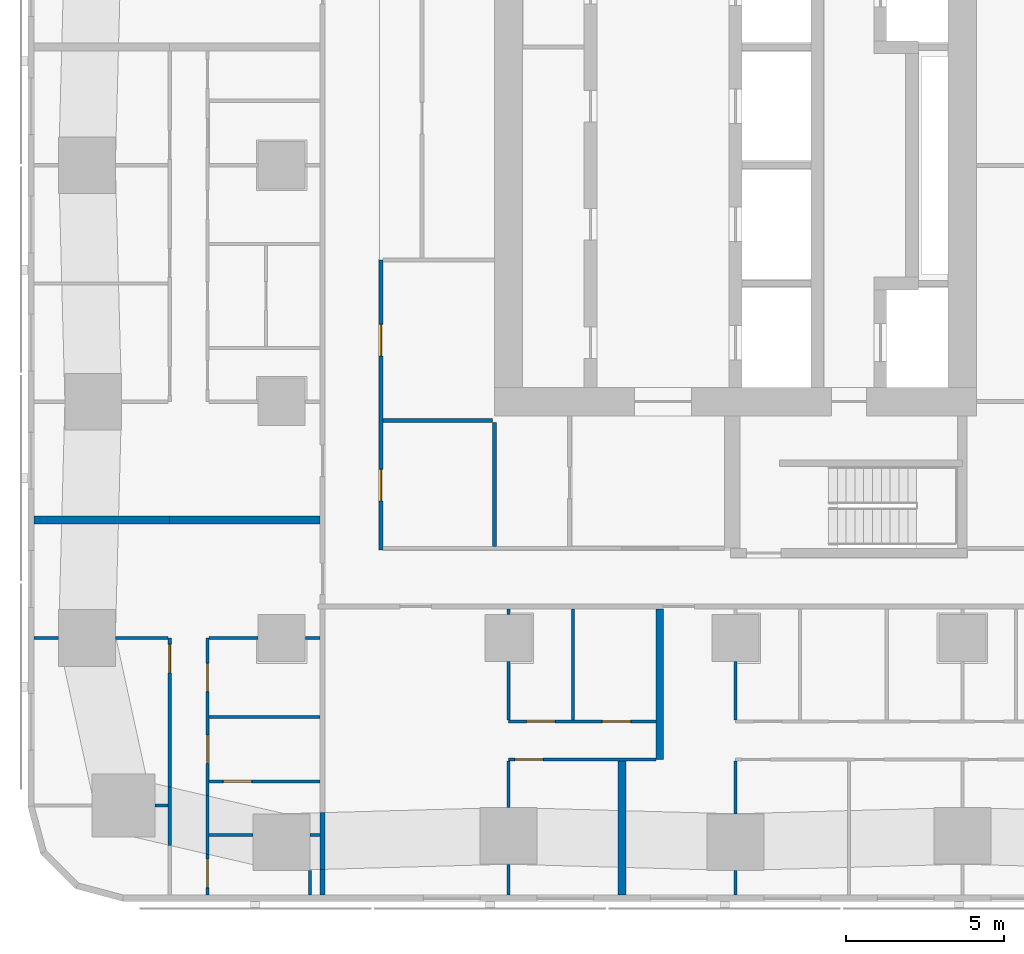
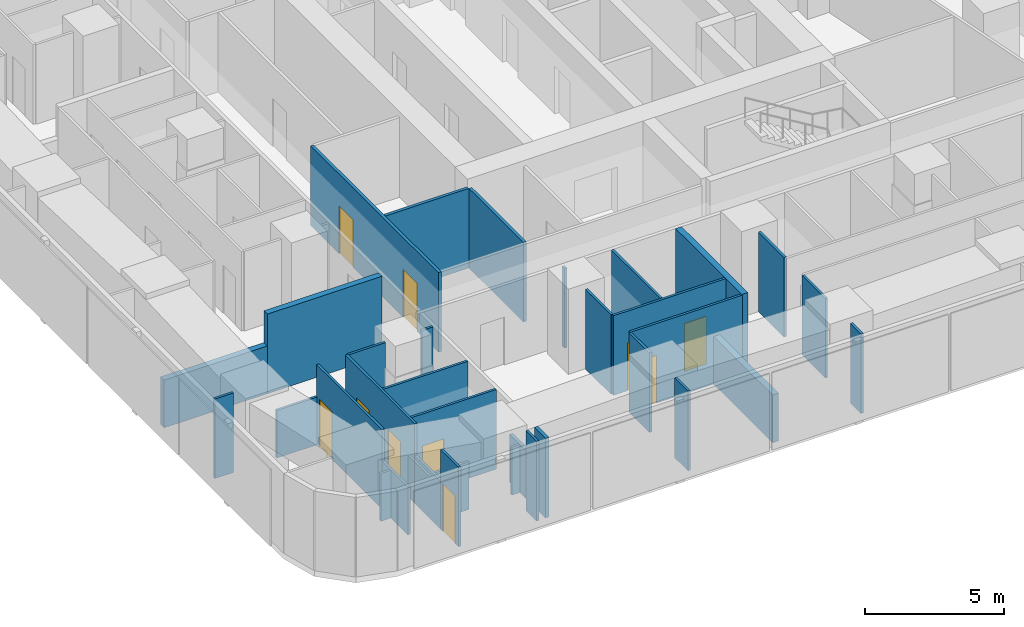
# One storey, part 2 of 15: 34 walls, 10 doors, 10 openings.
"""IFC4 building model written with IfcOpenShell, lengths in metres."""

from ifc_helpers import new_model, si_unit, direction, frame, frame_2d, origin, place, context, subcontext, project, spatial, rectangle, extrude, material, layer, layer_set, type_object, element, fill, save


model = new_model("IFC4")

# Units and contexts
model_context = context("Model", 3, precision=1e-05, world=origin(), true_north=direction((0.0, 1.0)))
body_context = subcontext(model_context, "Body", "Model", "MODEL_VIEW")
ifc_project = project(units=[si_unit("LENGTHUNIT", "METRE"), si_unit("AREAUNIT", "SQUARE_METRE"), si_unit("VOLUMEUNIT", "CUBIC_METRE"), si_unit("PLANEANGLEUNIT", "RADIAN"), si_unit("MASSUNIT", "GRAM", prefix="KILO")], contexts=[model_context])

# Site, building, storey
site_placement = place(None, origin())
site = spatial("IfcSite", under=ifc_project, at=site_placement, CompositionType="ELEMENT")
building_placement = place(site_placement, origin())
building = spatial("IfcBuilding", under=site, at=building_placement, Name="Sheger Commons Tower", CompositionType="ELEMENT")
storey_placement = place(building_placement, frame((0.0, 0.0, 165.800048828125)))
storey = spatial("IfcBuildingStorey", under=building, at=storey_placement, Name="L42", CompositionType="ELEMENT", Elevation=165.800048828125)

# Walls
ifc_material_1 = material(Name="Hollow concrete block masonry, skimmed both sides", Category="masonry")
ifc_layer_1 = layer(ifc_material_1, 0.14990234375)
ifc_layer_set_1 = layer_set([ifc_layer_1], Name="CORRIDOR WALL 150")
wall_type_1 = type_object("IfcWallType", Name="CORRIDOR WALL 150", PredefinedType="SOLIDWALL", material=ifc_layer_set_1)
wall_1_placement = place(storey_placement, frame((8.5, -0.64990234375, 0.0), z_axis=(0.0, 0.0, 1.0), x_axis=(0.0, 1.0, 0.0)))
element("IfcWall", 1, at=wall_1_placement, inside=storey, type_object=wall_type_1, Name="Corridor wall L42", PredefinedType="SOLIDWALL", context=body_context, shape_type="SweptSolid", body=[
    extrude(rectangle(XDim=0.808837890625, YDim=0.14990234375, at=frame_2d((0.404296875, 0.0))), origin(), (0.0, 0.0, 1.0), 3.5),
])
wall_2_placement = place(storey_placement, frame((8.5, 0.158935546875, 0.0), z_axis=(0.0, 0.0, 1.0), x_axis=(0.0, 1.0, 0.0)))
element("IfcWall", 2, at=wall_2_placement, inside=storey, type_object=wall_type_1, Name="Corridor wall L42", PredefinedType="SOLIDWALL", context=body_context, shape_type="SweptSolid", body=[
    extrude(rectangle(XDim=1.80517578125, YDim=0.14990234375, at=frame_2d((0.902587890625, 0.0))), origin(), (0.0, 0.0, 1.0), 2.099853515625),
])
ifc_material_2 = material(Name="Dense concrete block masonry, plastered both sides (separating wall between flats)", Category="masonry")
ifc_layer_2 = layer(ifc_material_2, 0.25)
ifc_layer_set_2 = layer_set([ifc_layer_2], Name="DEMISING WALL 250")
wall_type_2 = type_object("IfcWallType", Name="DEMISING WALL 250", PredefinedType="SOLIDWALL", material=ifc_layer_set_2)
wall_3_placement = place(storey_placement, frame((-0.64990234375, 11.25, 0.0), z_axis=(0.0, 0.0, 1.0), x_axis=(1.0, 0.0, 0.0)))
element("IfcWall", 3, at=wall_3_placement, inside=storey, type_object=wall_type_2, Name="Demising wall L42", PredefinedType="SOLIDWALL", context=body_context, shape_type="SweptSolid", body=[
    extrude(rectangle(XDim=4.2998046875, YDim=0.25, at=frame_2d((2.14990234375, 0.0))), origin(), (0.0, 0.0, 1.0), 2.099853515625),
])
wall_4_placement = place(storey_placement, frame((3.64990234375, 11.25, 0.0), z_axis=(0.0, 0.0, 1.0), x_axis=(1.0, 0.0, 0.0)))
element("IfcWall", 4, at=wall_4_placement, inside=storey, type_object=wall_type_2, Name="Demising wall L42", PredefinedType="SOLIDWALL", context=body_context, shape_type="SweptSolid", body=[
    extrude(rectangle(XDim=4.775146484375, YDim=0.25, at=frame_2d((2.3876953125, 0.0))), origin(), (0.0, 0.0, 1.0), 3.5),
])
wall_5_placement = place(storey_placement, frame((18.0, -0.64990234375, 0.0), z_axis=(0.0, 0.0, 1.0), x_axis=(0.0, 1.0, 0.0)))
element("IfcWall", 5, at=wall_5_placement, inside=storey, type_object=wall_type_2, Name="Demising wall L42", PredefinedType="SOLIDWALL", context=body_context, shape_type="SweptSolid", body=[
    extrude(rectangle(XDim=4.25, YDim=0.25, at=frame_2d((2.125, 0.0))), origin(), (0.0, 0.0, 1.0), 2.099853515625),
])
wall_6_placement = place(storey_placement, frame((19.198974609375, 3.64990234375, 0.0), z_axis=(0.0, 0.0, 1.0), x_axis=(0.0, 1.0, 0.0)))
element("IfcWall", 6, at=wall_6_placement, inside=storey, type_object=wall_type_2, Name="Demising wall L42", PredefinedType="SOLIDWALL", context=body_context, shape_type="SweptSolid", body=[
    extrude(rectangle(XDim=4.775146484375, YDim=0.25, at=frame_2d((2.3876953125, 0.0))), origin(), (0.0, 0.0, 1.0), 3.5),
])
ifc_material_3 = material(Name="Gypsum board on steel studs", Category="steel")
ifc_layer_3 = layer(ifc_material_3, 0.10009765625)
ifc_layer_set_3 = layer_set([ifc_layer_3], Name="PARTITION 100")
wall_type_3 = type_object("IfcWallType", Name="PARTITION 100", PredefinedType="PARTITIONING", material=ifc_layer_set_3)
wall_7_placement = place(storey_placement, frame((8.10009765625, 0.1240234375, 0.0), z_axis=(0.0, 0.0, 1.0), x_axis=(0.0, -1.0, 0.0)))
element("IfcWall", 7, at=wall_7_placement, inside=storey, type_object=wall_type_3, Name="Partition L42", PredefinedType="PARTITIONING", context=body_context, shape_type="SweptSolid", body=[
    extrude(rectangle(XDim=0.77392578125, YDim=0.10009765625, at=frame_2d((0.386962890625, 0.0))), origin(), (0.0, 0.0, 1.0), 3.5),
])
wall_8_placement = place(storey_placement, frame((3.64990234375, 0.912109375, 0.0), z_axis=(0.0, 0.0, 1.0), x_axis=(0.0, 1.0, 0.0)))
element("IfcWall", 8, at=wall_8_placement, inside=storey, type_object=wall_type_3, Name="Partition L42", PredefinedType="PARTITIONING", context=body_context, shape_type="SweptSolid", body=[
    extrude(rectangle(XDim=1.869873046875, YDim=0.10009765625, at=frame_2d((0.93505859375, 0.0))), origin(), (0.0, 0.0, 1.0), 2.099853515625),
])

# Wall, opening, door
wall_9_placement = place(storey_placement, frame((3.64990234375, 2.781982421875, 0.0), z_axis=(0.0, 0.0, 1.0), x_axis=(0.0, 1.0, 0.0)))
wall_9 = element("IfcWall", 9, at=wall_9_placement, inside=storey, type_object=wall_type_3, Name="Partition L42", PredefinedType="PARTITIONING", context=body_context, shape_type="SweptSolid", body=[
    extrude(rectangle(XDim=4.718017578125, YDim=0.10009765625, at=frame_2d((2.35888671875, 0.0))), origin(), (0.0, 0.0, 1.0), 3.5),
])
opening_1_placement = place(wall_9_placement, frame((3.617919921875, 0.0, 0.0)))
opening_1 = element("IfcOpeningElement", 10, at=opening_1_placement, cuts=wall_9, Name="Opening D2", PredefinedType="OPENING", context=body_context, shape_type="SweptSolid", body=[
    extrude(rectangle(XDim=0.89990234375, YDim=2.10009765625, at=frame_2d((0.449951171875, 1.050048828125))), frame((0.0, 0.06005859375, 0.0), z_axis=(0.0, -1.0, 0.0), x_axis=(1.0, 0.0, 0.0)), (0.0, 0.0, 1.0), 0.1201171875),
])
ifc_material_4 = material(Name="Timber door set", Category="wood")
door_type_1 = type_object("IfcDoorType", Name="INTERNAL DOOR 900x2100", OperationType="NOTDEFINED", PredefinedType="DOOR", material=ifc_material_4)
door_1_placement = place(opening_1_placement, origin())
door_1 = element("IfcDoor", 11, at=door_1_placement, inside=storey, type_object=door_type_1, Name="Main bedroom door", OperationType="SINGLE_SWING_RIGHT", OverallHeight=2.10009765625, OverallWidth=0.89990234375, PredefinedType="DOOR", context=body_context, shape_type="SweptSolid", body=[
    extrude(rectangle(XDim=0.89990234375, YDim=2.10009765625, at=frame_2d((0.449951171875, 1.050048828125))), frame((0.0, 0.02490234375, 0.0), z_axis=(0.0, -1.0, 0.0), x_axis=(1.0, 0.0, 0.0)), (0.0, 0.0, 1.0), 0.050048828125),
])
fill(opening_1, door_1)

wall_10_placement = place(storey_placement, frame((4.85009765625, -0.64990234375, 0.0), z_axis=(0.0, 0.0, 1.0), x_axis=(0.0, 1.0, 0.0)))
wall_10 = element("IfcWall", 12, at=wall_10_placement, inside=storey, type_object=wall_type_3, Name="Partition L42", PredefinedType="PARTITIONING", context=body_context, shape_type="SweptSolid", body=[
    extrude(rectangle(XDim=1.283935546875, YDim=0.10009765625, at=frame_2d((0.64208984375, 0.0))), origin(), (0.0, 0.0, 1.0), 3.5),
])
opening_2_placement = place(wall_10_placement, frame((0.23388671875, 0.0, 0.0)))
opening_2 = element("IfcOpeningElement", 13, at=opening_2_placement, cuts=wall_10, Name="Opening D2", PredefinedType="OPENING", context=body_context, shape_type="SweptSolid", body=[
    extrude(rectangle(XDim=0.89990234375, YDim=2.10009765625, at=frame_2d((0.449951171875, 1.050048828125))), frame((0.0, 0.06005859375, 0.0), z_axis=(0.0, -1.0, 0.0), x_axis=(1.0, 0.0, 0.0)), (0.0, 0.0, 1.0), 0.1201171875),
])
door_2_placement = place(opening_2_placement, origin())
door_2 = element("IfcDoor", 14, at=door_2_placement, inside=storey, type_object=door_type_1, Name="Laundry room door", OperationType="SINGLE_SWING_LEFT", OverallHeight=2.10009765625, OverallWidth=0.89990234375, PredefinedType="DOOR", context=body_context, shape_type="SweptSolid", body=[
    extrude(rectangle(XDim=0.89990234375, YDim=2.10009765625, at=frame_2d((0.449951171875, 1.050048828125))), frame((0.0, 0.02490234375, 0.0), z_axis=(0.0, -1.0, 0.0), x_axis=(1.0, 0.0, 0.0)), (0.0, 0.0, 1.0), 0.050048828125),
])
fill(opening_2, door_2)

# Wall
wall_11_placement = place(storey_placement, frame((4.85009765625, 0.634033203125, 0.0), z_axis=(0.0, 0.0, 1.0), x_axis=(0.0, 1.0, 0.0)))
element("IfcWall", 15, at=wall_11_placement, inside=storey, type_object=wall_type_3, Name="Partition L42", PredefinedType="PARTITIONING", context=body_context, shape_type="SweptSolid", body=[
    extrude(rectangle(XDim=1.870849609375, YDim=0.10009765625, at=frame_2d((0.935546875, 0.0))), origin(), (0.0, 0.0, 1.0), 2.099853515625),
])

# Wall, openings, doors
wall_12_placement = place(storey_placement, frame((4.85009765625, 2.5048828125, 0.0), z_axis=(0.0, 0.0, 1.0), x_axis=(0.0, 1.0, 0.0)))
wall_12 = element("IfcWall", 16, at=wall_12_placement, inside=storey, type_object=wall_type_3, Name="Partition L42", PredefinedType="PARTITIONING", context=body_context, shape_type="SweptSolid", body=[
    extrude(rectangle(XDim=4.9951171875, YDim=0.10009765625, at=frame_2d((2.49755859375, 0.0))), origin(), (0.0, 0.0, 1.0), 3.5),
])
opening_3_placement = place(wall_12_placement, frame((3.2939453125, 0.0, 0.0)))
opening_3 = element("IfcOpeningElement", 17, at=opening_3_placement, cuts=wall_12, Name="Opening D2", PredefinedType="OPENING", context=body_context, shape_type="SweptSolid", body=[
    extrude(rectangle(XDim=0.89990234375, YDim=2.10009765625, at=frame_2d((0.449951171875, 1.050048828125))), frame((0.0, 0.06005859375, 0.0), z_axis=(0.0, -1.0, 0.0), x_axis=(1.0, 0.0, 0.0)), (0.0, 0.0, 1.0), 0.1201171875),
])
opening_4_placement = place(wall_12_placement, frame((1.01904296875, 0.0, 0.0)))
opening_4 = element("IfcOpeningElement", 18, at=opening_4_placement, cuts=wall_12, Name="Opening D2", PredefinedType="OPENING", context=body_context, shape_type="SweptSolid", body=[
    extrude(rectangle(XDim=0.89990234375, YDim=2.10009765625, at=frame_2d((0.449951171875, 1.050048828125))), frame((0.0, 0.06005859375, 0.0), z_axis=(0.0, -1.0, 0.0), x_axis=(1.0, 0.0, 0.0)), (0.0, 0.0, 1.0), 0.1201171875),
])
door_3_placement = place(opening_3_placement, origin())
door_3 = element("IfcDoor", 19, at=door_3_placement, inside=storey, type_object=door_type_1, Name="Store and laundry door", OperationType="SINGLE_SWING_LEFT", OverallHeight=2.10009765625, OverallWidth=0.89990234375, PredefinedType="DOOR", context=body_context, shape_type="SweptSolid", body=[
    extrude(rectangle(XDim=0.89990234375, YDim=2.10009765625, at=frame_2d((0.449951171875, 1.050048828125))), frame((0.0, 0.02490234375, 0.0), z_axis=(0.0, -1.0, 0.0), x_axis=(1.0, 0.0, 0.0)), (0.0, 0.0, 1.0), 0.050048828125),
])
fill(opening_3, door_3)
door_4_placement = place(opening_4_placement, origin())
door_4 = element("IfcDoor", 20, at=door_4_placement, inside=storey, type_object=door_type_1, Name="Bathroom door", OperationType="SINGLE_SWING_RIGHT", OverallHeight=2.10009765625, OverallWidth=0.89990234375, PredefinedType="DOOR", context=body_context, shape_type="SweptSolid", body=[
    extrude(rectangle(XDim=0.89990234375, YDim=2.10009765625, at=frame_2d((0.449951171875, 1.050048828125))), frame((0.0, 0.02490234375, 0.0), z_axis=(0.0, -1.0, 0.0), x_axis=(1.0, 0.0, 0.0)), (0.0, 0.0, 1.0), 0.050048828125),
])
fill(opening_4, door_4)

# Walls
wall_13_placement = place(storey_placement, frame((3.18701171875, 2.18603515625, 0.0), z_axis=(0.0, 0.0, 1.0), x_axis=(1.0, 0.0, 0.0)))
element("IfcWall", 21, at=wall_13_placement, inside=storey, type_object=wall_type_3, Name="Partition L42", PredefinedType="PARTITIONING", context=body_context, shape_type="SweptSolid", body=[
    extrude(rectangle(XDim=0.4130859375, YDim=0.10009765625, at=frame_2d((0.20654296875, 0.0))), origin(), (0.0, 0.0, 1.0), 2.099853515625),
])
wall_14_placement = place(storey_placement, frame((-0.64990234375, 7.5, 0.0), z_axis=(0.0, 0.0, 1.0), x_axis=(1.0, 0.0, 0.0)))
element("IfcWall", 22, at=wall_14_placement, inside=storey, type_object=wall_type_3, Name="Partition L42", PredefinedType="PARTITIONING", context=body_context, shape_type="SweptSolid", body=[
    extrude(rectangle(XDim=0.77392578125, YDim=0.10009765625, at=frame_2d((0.386962890625, 0.0))), origin(), (0.0, 0.0, 1.0), 3.5),
])
wall_15_placement = place(storey_placement, frame((1.926025390625, 7.5, 0.0), z_axis=(0.0, 0.0, 1.0), x_axis=(1.0, 0.0, 0.0)))
element("IfcWall", 23, at=wall_15_placement, inside=storey, type_object=wall_type_3, Name="Partition L42", PredefinedType="PARTITIONING", context=body_context, shape_type="SweptSolid", body=[
    extrude(rectangle(XDim=1.674072265625, YDim=0.10009765625, at=frame_2d((0.8369140625, 0.0))), origin(), (0.0, 0.0, 1.0), 2.099853515625),
])
wall_16_placement = place(storey_placement, frame((4.89990234375, 4.9990234375, 0.0), z_axis=(0.0, 0.0, 1.0), x_axis=(1.0, 0.0, 0.0)))
element("IfcWall", 24, at=wall_16_placement, inside=storey, type_object=wall_type_3, Name="Partition L42", PredefinedType="PARTITIONING", context=body_context, shape_type="SweptSolid", body=[
    extrude(rectangle(XDim=3.525146484375, YDim=0.10009765625, at=frame_2d((1.7626953125, 0.0))), origin(), (0.0, 0.0, 1.0), 3.5),
])
wall_17_placement = place(storey_placement, frame((4.89990234375, 7.5, 0.0), z_axis=(0.0, 0.0, 1.0), x_axis=(1.0, 0.0, 0.0)))
element("IfcWall", 25, at=wall_17_placement, inside=storey, type_object=wall_type_3, Name="Partition L42", PredefinedType="PARTITIONING", context=body_context, shape_type="SweptSolid", body=[
    extrude(rectangle(XDim=1.549072265625, YDim=0.10009765625, at=frame_2d((0.7744140625, 0.0))), origin(), (0.0, 0.0, 1.0), 3.5),
])
wall_18_placement = place(storey_placement, frame((7.950927734375, 7.5, 0.0), z_axis=(0.0, 0.0, 1.0), x_axis=(1.0, 0.0, 0.0)))
element("IfcWall", 26, at=wall_18_placement, inside=storey, type_object=wall_type_3, Name="Partition L42", PredefinedType="PARTITIONING", context=body_context, shape_type="SweptSolid", body=[
    extrude(rectangle(XDim=0.47412109375, YDim=0.10009765625, at=frame_2d((0.237060546875, 0.0))), origin(), (0.0, 0.0, 1.0), 3.5),
])
wall_19_placement = place(storey_placement, frame((4.89990234375, 1.2490234375, 0.0), z_axis=(0.0, 0.0, 1.0), x_axis=(1.0, 0.0, 0.0)))
element("IfcWall", 27, at=wall_19_placement, inside=storey, type_object=wall_type_3, Name="Partition L42", PredefinedType="PARTITIONING", context=body_context, shape_type="SweptSolid", body=[
    extrude(rectangle(XDim=1.399169921875, YDim=0.10009765625, at=frame_2d((0.69970703125, 0.0))), origin(), (0.0, 0.0, 1.0), 2.099853515625),
])
wall_20_placement = place(storey_placement, frame((8.10107421875, 1.2490234375, 0.0), z_axis=(0.0, 0.0, 1.0), x_axis=(1.0, 0.0, 0.0)))
element("IfcWall", 28, at=wall_20_placement, inside=storey, type_object=wall_type_3, Name="Partition L42", PredefinedType="PARTITIONING", context=body_context, shape_type="SweptSolid", body=[
    extrude(rectangle(XDim=0.323974609375, YDim=0.10009765625, at=frame_2d((0.162109375, 0.0))), origin(), (0.0, 0.0, 1.0), 2.099853515625),
])

# Wall, opening, door
wall_21_placement = place(storey_placement, frame((4.89990234375, 2.948974609375, 0.0), z_axis=(0.0, 0.0, 1.0), x_axis=(1.0, 0.0, 0.0)))
wall_21 = element("IfcWall", 29, at=wall_21_placement, inside=storey, type_object=wall_type_3, Name="Partition L42", PredefinedType="PARTITIONING", context=body_context, shape_type="SweptSolid", body=[
    extrude(rectangle(XDim=3.525146484375, YDim=0.10009765625, at=frame_2d((1.7626953125, 0.0))), origin(), (0.0, 0.0, 1.0), 3.5),
])
opening_5_placement = place(wall_21_placement, frame((0.449951171875, 0.0, 0.0)))
opening_5 = element("IfcOpeningElement", 30, at=opening_5_placement, cuts=wall_21, Name="Opening D2", PredefinedType="OPENING", context=body_context, shape_type="SweptSolid", body=[
    extrude(rectangle(XDim=0.89990234375, YDim=2.10009765625, at=frame_2d((0.449951171875, 1.050048828125))), frame((0.0, 0.06005859375, 0.0), z_axis=(0.0, -1.0, 0.0), x_axis=(1.0, 0.0, 0.0)), (0.0, 0.0, 1.0), 0.1201171875),
])
door_5_placement = place(opening_5_placement, origin())
door_5 = element("IfcDoor", 31, at=door_5_placement, inside=storey, type_object=door_type_1, Name="Linen store door", OperationType="SINGLE_SWING_RIGHT", OverallHeight=2.10009765625, OverallWidth=0.89990234375, PredefinedType="DOOR", context=body_context, shape_type="SweptSolid", body=[
    extrude(rectangle(XDim=0.89990234375, YDim=2.10009765625, at=frame_2d((0.449951171875, 1.050048828125))), frame((0.0, 0.02490234375, 0.0), z_axis=(0.0, -1.0, 0.0), x_axis=(1.0, 0.0, 0.0)), (0.0, 0.0, 1.0), 0.050048828125),
])
fill(opening_5, door_5)

wall_22_placement = place(storey_placement, frame((19.073974609375, 3.64990234375, 0.0), z_axis=(0.0, 0.0, 1.0), x_axis=(-1.0, 0.0, 0.0)))
wall_22 = element("IfcWall", 32, at=wall_22_placement, inside=storey, type_object=wall_type_3, Name="Partition L42", PredefinedType="PARTITIONING", context=body_context, shape_type="SweptSolid", body=[
    extrude(rectangle(XDim=4.674072265625, YDim=0.10009765625, at=frame_2d((2.3369140625, 0.0))), origin(), (0.0, 0.0, 1.0), 3.5),
])
opening_6_placement = place(wall_22_placement, frame((3.573974609375, 0.0, 0.0)))
opening_6 = element("IfcOpeningElement", 33, at=opening_6_placement, cuts=wall_22, Name="Opening D2", PredefinedType="OPENING", context=body_context, shape_type="SweptSolid", body=[
    extrude(rectangle(XDim=0.89990234375, YDim=2.10009765625, at=frame_2d((0.449951171875, 1.050048828125))), frame((0.0, 0.06005859375, 0.0), z_axis=(0.0, -1.0, 0.0), x_axis=(1.0, 0.0, 0.0)), (0.0, 0.0, 1.0), 0.1201171875),
])
door_6_placement = place(opening_6_placement, origin())
door_6 = element("IfcDoor", 34, at=door_6_placement, inside=storey, type_object=door_type_1, Name="Main bedroom door", OperationType="SINGLE_SWING_RIGHT", OverallHeight=2.10009765625, OverallWidth=0.89990234375, PredefinedType="DOOR", context=body_context, shape_type="SweptSolid", body=[
    extrude(rectangle(XDim=0.89990234375, YDim=2.10009765625, at=frame_2d((0.449951171875, 1.050048828125))), frame((0.0, 0.02490234375, 0.0), z_axis=(0.0, -1.0, 0.0), x_axis=(1.0, 0.0, 0.0)), (0.0, 0.0, 1.0), 0.050048828125),
])
fill(opening_6, door_6)

# Wall, openings, doors
wall_23_placement = place(storey_placement, frame((19.073974609375, 4.85009765625, 0.0), z_axis=(0.0, 0.0, 1.0), x_axis=(-1.0, 0.0, 0.0)))
wall_23 = element("IfcWall", 35, at=wall_23_placement, inside=storey, type_object=wall_type_3, Name="Partition L42", PredefinedType="PARTITIONING", context=body_context, shape_type="SweptSolid", body=[
    extrude(rectangle(XDim=4.674072265625, YDim=0.10009765625, at=frame_2d((2.3369140625, 0.0))), origin(), (0.0, 0.0, 1.0), 3.5),
])
opening_7_placement = place(wall_23_placement, frame((3.198974609375, 0.0, 0.0)))
opening_7 = element("IfcOpeningElement", 36, at=opening_7_placement, cuts=wall_23, Name="Opening D2", PredefinedType="OPENING", context=body_context, shape_type="SweptSolid", body=[
    extrude(rectangle(XDim=0.89990234375, YDim=2.10009765625, at=frame_2d((0.449951171875, 1.050048828125))), frame((0.0, 0.06005859375, 0.0), z_axis=(0.0, -1.0, 0.0), x_axis=(1.0, 0.0, 0.0)), (0.0, 0.0, 1.0), 0.1201171875),
])
opening_8_placement = place(wall_23_placement, frame((0.799072265625, 0.0, 0.0)))
opening_8 = element("IfcOpeningElement", 37, at=opening_8_placement, cuts=wall_23, Name="Opening D2", PredefinedType="OPENING", context=body_context, shape_type="SweptSolid", body=[
    extrude(rectangle(XDim=0.89990234375, YDim=2.10009765625, at=frame_2d((0.449951171875, 1.050048828125))), frame((0.0, 0.06005859375, 0.0), z_axis=(0.0, -1.0, 0.0), x_axis=(1.0, 0.0, 0.0)), (0.0, 0.0, 1.0), 0.1201171875),
])
door_7_placement = place(opening_7_placement, origin())
door_7 = element("IfcDoor", 38, at=door_7_placement, inside=storey, type_object=door_type_1, Name="Bathroom door", OperationType="SINGLE_SWING_LEFT", OverallHeight=2.10009765625, OverallWidth=0.89990234375, PredefinedType="DOOR", context=body_context, shape_type="SweptSolid", body=[
    extrude(rectangle(XDim=0.89990234375, YDim=2.10009765625, at=frame_2d((0.449951171875, 1.050048828125))), frame((0.0, 0.02490234375, 0.0), z_axis=(0.0, -1.0, 0.0), x_axis=(1.0, 0.0, 0.0)), (0.0, 0.0, 1.0), 0.050048828125),
])
fill(opening_7, door_7)
door_8_placement = place(opening_8_placement, origin())
door_8 = element("IfcDoor", 39, at=door_8_placement, inside=storey, type_object=door_type_1, Name="Store door", OperationType="SINGLE_SWING_RIGHT", OverallHeight=2.10009765625, OverallWidth=0.89990234375, PredefinedType="DOOR", context=body_context, shape_type="SweptSolid", body=[
    extrude(rectangle(XDim=0.89990234375, YDim=2.10009765625, at=frame_2d((0.449951171875, 1.050048828125))), frame((0.0, 0.02490234375, 0.0), z_axis=(0.0, -1.0, 0.0), x_axis=(1.0, 0.0, 0.0)), (0.0, 0.0, 1.0), 0.050048828125),
])
fill(opening_8, door_8)

# Walls
wall_24_placement = place(storey_placement, frame((14.39990234375, -0.64990234375, 0.0), z_axis=(0.0, 0.0, 1.0), x_axis=(0.0, 1.0, 0.0)))
element("IfcWall", 40, at=wall_24_placement, inside=storey, type_object=wall_type_3, Name="Partition L42", PredefinedType="PARTITIONING", context=body_context, shape_type="SweptSolid", body=[
    extrude(rectangle(XDim=0.973876953125, YDim=0.10009765625, at=frame_2d((0.48681640625, 0.0))), origin(), (0.0, 0.0, 1.0), 3.5),
])
wall_25_placement = place(storey_placement, frame((14.39990234375, 2.1259765625, 0.0), z_axis=(0.0, 0.0, 1.0), x_axis=(0.0, 1.0, 0.0)))
element("IfcWall", 41, at=wall_25_placement, inside=storey, type_object=wall_type_3, Name="Partition L42", PredefinedType="PARTITIONING", context=body_context, shape_type="SweptSolid", body=[
    extrude(rectangle(XDim=1.47412109375, YDim=0.10009765625, at=frame_2d((0.737060546875, 0.0))), origin(), (0.0, 0.0, 1.0), 3.5),
])
wall_26_placement = place(storey_placement, frame((14.39990234375, 4.89990234375, 0.0), z_axis=(0.0, 0.0, 1.0), x_axis=(0.0, 1.0, 0.0)))
element("IfcWall", 42, at=wall_26_placement, inside=storey, type_object=wall_type_3, Name="Partition L42", PredefinedType="PARTITIONING", context=body_context, shape_type="SweptSolid", body=[
    extrude(rectangle(XDim=1.84912109375, YDim=0.10009765625, at=frame_2d((0.924560546875, 0.0))), origin(), (0.0, 0.0, 1.0), 3.5),
])
wall_27_placement = place(storey_placement, frame((14.39990234375, 8.2509765625, 0.0), z_axis=(0.0, 0.0, 1.0), x_axis=(0.0, 1.0, 0.0)))
element("IfcWall", 43, at=wall_27_placement, inside=storey, type_object=wall_type_3, Name="Partition L42", PredefinedType="PARTITIONING", context=body_context, shape_type="SweptSolid", body=[
    extrude(rectangle(XDim=0.174072265625, YDim=0.10009765625, at=frame_2d((0.0869140625, 0.0))), origin(), (0.0, 0.0, 1.0), 3.5),
])
wall_28_placement = place(storey_placement, frame((16.449951171875, 4.89990234375, 0.0), z_axis=(0.0, 0.0, 1.0), x_axis=(0.0, 1.0, 0.0)))
element("IfcWall", 44, at=wall_28_placement, inside=storey, type_object=wall_type_3, Name="Partition L42", PredefinedType="PARTITIONING", context=body_context, shape_type="SweptSolid", body=[
    extrude(rectangle(XDim=3.525146484375, YDim=0.10009765625, at=frame_2d((1.7626953125, 0.0))), origin(), (0.0, 0.0, 1.0), 3.5),
])
wall_29_placement = place(storey_placement, frame((21.60009765625, -0.64990234375, 0.0), z_axis=(0.0, 0.0, 1.0), x_axis=(0.0, 1.0, 0.0)))
element("IfcWall", 45, at=wall_29_placement, inside=storey, type_object=wall_type_3, Name="Partition L42", PredefinedType="PARTITIONING", context=body_context, shape_type="SweptSolid", body=[
    extrude(rectangle(XDim=0.77392578125, YDim=0.10009765625, at=frame_2d((0.386962890625, 0.0))), origin(), (0.0, 0.0, 1.0), 3.5),
])
wall_30_placement = place(storey_placement, frame((21.60009765625, 1.926025390625, 0.0), z_axis=(0.0, 0.0, 1.0), x_axis=(0.0, 1.0, 0.0)))
element("IfcWall", 46, at=wall_30_placement, inside=storey, type_object=wall_type_3, Name="Partition L42", PredefinedType="PARTITIONING", context=body_context, shape_type="SweptSolid", body=[
    extrude(rectangle(XDim=1.674072265625, YDim=0.10009765625, at=frame_2d((0.8369140625, 0.0))), origin(), (0.0, 0.0, 1.0), 3.5),
])
wall_31_placement = place(storey_placement, frame((21.60009765625, 4.89990234375, 0.0), z_axis=(0.0, 0.0, 1.0), x_axis=(0.0, 1.0, 0.0)))
element("IfcWall", 47, at=wall_31_placement, inside=storey, type_object=wall_type_3, Name="Partition L42", PredefinedType="PARTITIONING", context=body_context, shape_type="SweptSolid", body=[
    extrude(rectangle(XDim=1.84912109375, YDim=0.10009765625, at=frame_2d((0.924560546875, 0.0))), origin(), (0.0, 0.0, 1.0), 3.5),
])

# Wall, openings, doors
ifc_material_5 = material(Name="Gypsum board on steel studs, two layers each side, fire rated", Category="steel")
ifc_layer_4 = layer(ifc_material_5, 0.125)
ifc_layer_set_4 = layer_set([ifc_layer_4], Name="SERVICE WALL 125")
wall_type_4 = type_object("IfcWallType", Name="SERVICE WALL 125", PredefinedType="PARTITIONING", material=ifc_layer_set_4)
wall_32_placement = place(storey_placement, frame((10.35009765625, 10.300048828125, 0.0), z_axis=(0.0, 0.0, 1.0), x_axis=(0.0, 1.0, 0.0)))
wall_32 = element("IfcWall", 48, at=wall_32_placement, inside=storey, type_object=wall_type_4, Name="Service room wall L42", PredefinedType="PARTITIONING", context=body_context, shape_type="SweptSolid", body=[
    extrude(rectangle(XDim=9.199951171875, YDim=0.125, at=frame_2d((4.60009765625, 0.0))), origin(), (0.0, 0.0, 1.0), 3.5),
])
opening_9_placement = place(wall_32_placement, frame((1.550048828125, 0.0, 0.0)))
opening_9 = element("IfcOpeningElement", 49, at=opening_9_placement, cuts=wall_32, Name="Opening D4", PredefinedType="OPENING", context=body_context, shape_type="SweptSolid", body=[
    extrude(rectangle(XDim=1.0, YDim=2.10009765625, at=frame_2d((0.5, 1.050048828125))), frame((0.0, 0.072509765625, 0.0), z_axis=(0.0, -1.0, 0.0), x_axis=(1.0, 0.0, 0.0)), (0.0, 0.0, 1.0), 0.14501953125),
])
opening_10_placement = place(wall_32_placement, frame((6.14990234375, 0.0, 0.0)))
opening_10 = element("IfcOpeningElement", 50, at=opening_10_placement, cuts=wall_32, Name="Opening D4", PredefinedType="OPENING", context=body_context, shape_type="SweptSolid", body=[
    extrude(rectangle(XDim=1.0, YDim=2.10009765625, at=frame_2d((0.5, 1.050048828125))), frame((0.0, 0.072509765625, 0.0), z_axis=(0.0, -1.0, 0.0), x_axis=(1.0, 0.0, 0.0)), (0.0, 0.0, 1.0), 0.14501953125),
])
ifc_material_6 = material(Name="Steel door set, fire rated", Category="steel")
door_type_2 = type_object("IfcDoorType", Name="SERVICE DOOR 1000x2100", OperationType="NOTDEFINED", PredefinedType="DOOR", material=ifc_material_6)
door_9_placement = place(opening_9_placement, origin())
door_9 = element("IfcDoor", 51, at=door_9_placement, inside=storey, type_object=door_type_2, Name="Refuse chute room door", OperationType="SINGLE_SWING_RIGHT", OverallHeight=2.10009765625, OverallWidth=1.0, PredefinedType="DOOR", context=body_context, shape_type="SweptSolid", body=[
    extrude(rectangle(XDim=1.0, YDim=2.10009765625, at=frame_2d((0.5, 1.050048828125))), frame((0.0, 0.02490234375, 0.0), z_axis=(0.0, -1.0, 0.0), x_axis=(1.0, 0.0, 0.0)), (0.0, 0.0, 1.0), 0.050048828125),
])
fill(opening_9, door_9)
door_10_placement = place(opening_10_placement, origin())
door_10 = element("IfcDoor", 52, at=door_10_placement, inside=storey, type_object=door_type_2, Name="Caretaker's store door", OperationType="SINGLE_SWING_LEFT", OverallHeight=2.10009765625, OverallWidth=1.0, PredefinedType="DOOR", context=body_context, shape_type="SweptSolid", body=[
    extrude(rectangle(XDim=1.0, YDim=2.10009765625, at=frame_2d((0.5, 1.050048828125))), frame((0.0, 0.02490234375, 0.0), z_axis=(0.0, -1.0, 0.0), x_axis=(1.0, 0.0, 0.0)), (0.0, 0.0, 1.0), 0.050048828125),
])
fill(opening_10, door_10)

# Walls
wall_33_placement = place(storey_placement, frame((10.4130859375, 14.39990234375, 0.0), z_axis=(0.0, 0.0, 1.0), x_axis=(1.0, 0.0, 0.0)))
element("IfcWall", 53, at=wall_33_placement, inside=storey, type_object=wall_type_4, Name="Service room wall L42", PredefinedType="PARTITIONING", context=body_context, shape_type="SweptSolid", body=[
    extrude(rectangle(XDim=3.474853515625, YDim=0.125, at=frame_2d((1.7373046875, 0.0))), origin(), (0.0, 0.0, 1.0), 3.5),
])
wall_34_placement = place(storey_placement, frame((13.949951171875, 10.4130859375, 0.0), z_axis=(0.0, 0.0, 1.0), x_axis=(0.0, 1.0, 0.0)))
element("IfcWall", 54, at=wall_34_placement, inside=storey, type_object=wall_type_4, Name="Service room wall L42", PredefinedType="PARTITIONING", context=body_context, shape_type="SweptSolid", body=[
    extrude(rectangle(XDim=3.9248046875, YDim=0.125, at=frame_2d((1.96240234375, 0.0))), origin(), (0.0, 0.0, 1.0), 3.5),
])

save(model, "model.ifc")
